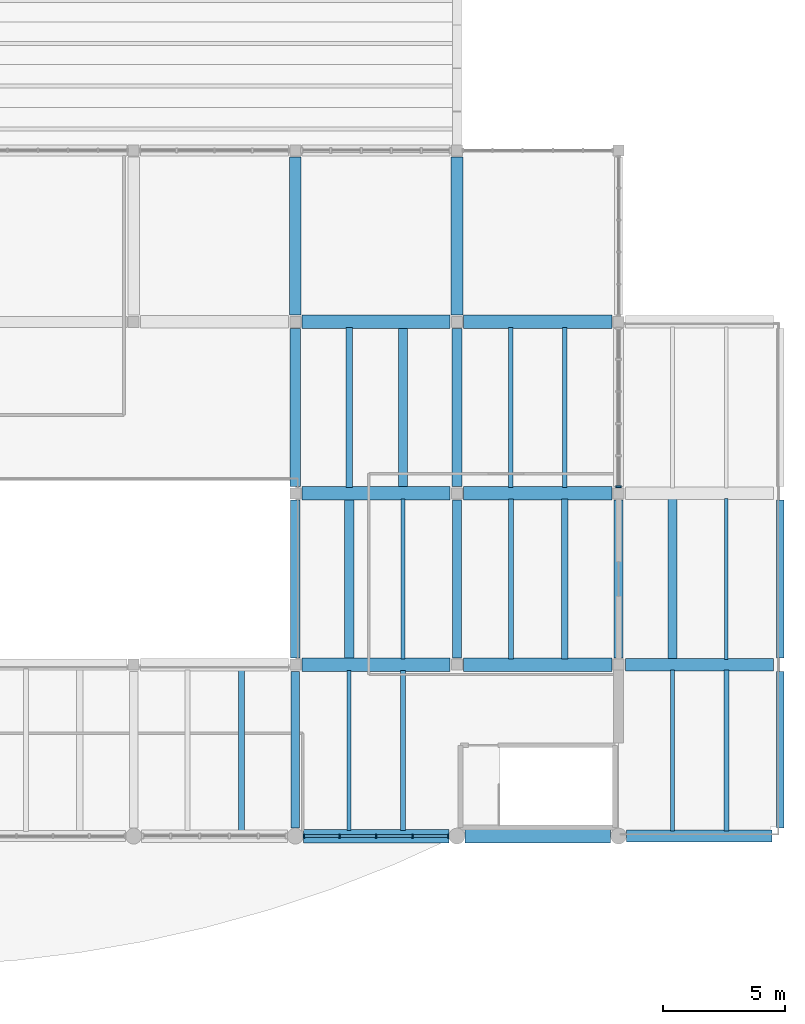
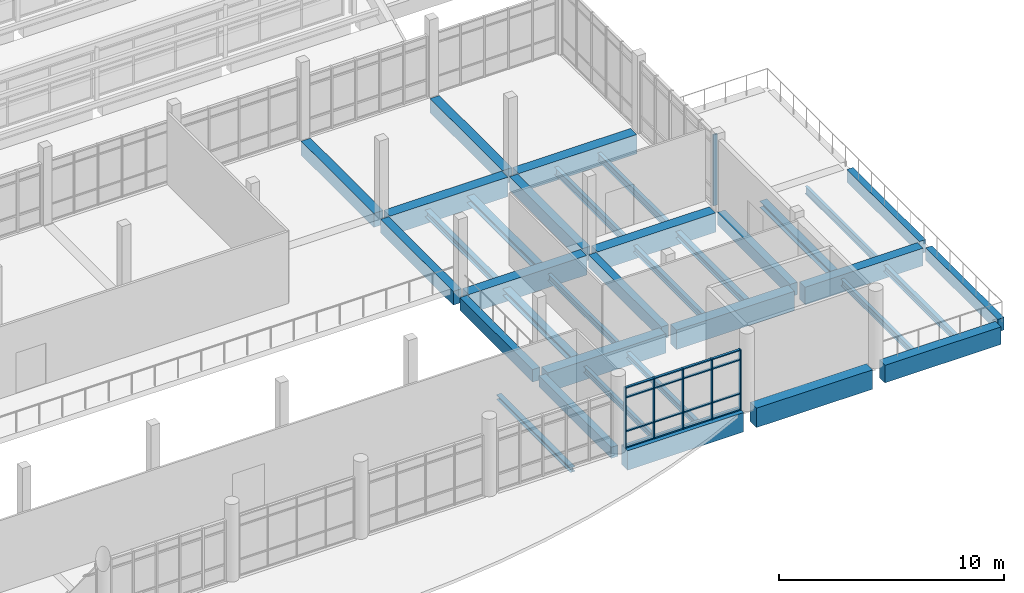
# One storey, part 11 of 92: 35 beams, 22 members, 2 elements without a shape of their own.
"""IFC4 building model written with IfcOpenShell, lengths in metres."""

from ifc_helpers import new_model, si_unit, direction, frame, origin, origin_2d, place, context, subcontext, project, spatial, rectangle, i_section, extrude, material, material_profile, profile_set, type_object, element, aggregate, save


model = new_model("IFC4")

# Units and contexts
model_context = context("Model", 3, precision=1e-05, world=origin(), true_north=direction((0.0, 1.0)))
body_context = subcontext(model_context, "Body", "Model", "MODEL_VIEW")
ifc_project = project(units=[si_unit("LENGTHUNIT", "METRE"), si_unit("AREAUNIT", "SQUARE_METRE"), si_unit("VOLUMEUNIT", "CUBIC_METRE"), si_unit("PLANEANGLEUNIT", "RADIAN"), si_unit("MASSUNIT", "GRAM", prefix="KILO")], contexts=[model_context])

# Site, building, storey
site_placement = place(None, origin())
site = spatial("IfcSite", under=ifc_project, at=site_placement, CompositionType="ELEMENT")
building_placement = place(site_placement, origin())
building = spatial("IfcBuilding", under=site, at=building_placement, Name="Ciguamira Faculty of Natural Sciences", CompositionType="ELEMENT")
storey_placement = place(building_placement, frame((0.0, 0.0, 16.800048828125)))
storey = spatial("IfcBuildingStorey", under=building, at=storey_placement, Name="L04", CompositionType="ELEMENT", Elevation=16.800048828125)

# Curtain wall, members
ifc_material_1 = material(Name="Anodized aluminium curtain wall", Category="aluminium")
curtain_wall_type_1 = type_object("IfcCurtainWallType", Name="CurtainWall_CW-04", PredefinedType="USERDEFINED", material=ifc_material_1)
curtain_wall_1_placement = place(storey_placement, origin())
curtain_wall_1 = element("IfcCurtainWall", 1, at=curtain_wall_1_placement, inside=storey, type_object=curtain_wall_type_1, Name="L04 unitised curtain wall 0112", ObjectType="UNITISED CURTAIN WALL", PredefinedType="USERDEFINED")
ifc_material_2 = material(Name="Anodized aluminium mullion", Category="aluminium")
ifc_material_profile_1 = material_profile(ifc_material_2, rectangle(XDim=0.06005859375, YDim=0.159912109375, at=origin_2d()), Name="ALU-MUL-60X160")
ifc_profile_set_1 = profile_set([ifc_material_profile_1], Name="Anodized aluminium mullion")
member_type_1 = type_object("IfcMemberType", Name="CWMullion_CWM-01", PredefinedType="MULLION", material=ifc_profile_set_1)
member_1_placement = place(storey_placement, frame((103.85498046875, 10.0, 0.0), z_axis=(0.0, 0.0, 1.0), x_axis=(1.0, 0.0, 0.0)))
member_1 = element("IfcMember", 2, at=member_1_placement, type_object=member_type_1, Name="CW-04 mullion 1", PredefinedType="MULLION", context=body_context, shape_type="SweptSolid", body=[
    extrude(rectangle(XDim=0.06005859375, YDim=0.159912109375, at=origin_2d()), origin(), (0.0, 0.0, 1.0), 3.284912109375),
])
member_2_placement = place(storey_placement, frame((105.3125, 10.0, 0.0), z_axis=(0.0, 0.0, 1.0), x_axis=(1.0, 0.0, 0.0)))
member_2 = element("IfcMember", 3, at=member_2_placement, type_object=member_type_1, Name="CW-04 mullion 2", PredefinedType="MULLION", context=body_context, shape_type="SweptSolid", body=[
    extrude(rectangle(XDim=0.06005859375, YDim=0.159912109375, at=origin_2d()), origin(), (0.0, 0.0, 1.0), 3.284912109375),
])
member_3_placement = place(storey_placement, frame((106.800048828125, 10.0, 0.0), z_axis=(0.0, 0.0, 1.0), x_axis=(1.0, 0.0, 0.0)))
member_3 = element("IfcMember", 4, at=member_3_placement, type_object=member_type_1, Name="CW-04 mullion 3", PredefinedType="MULLION", context=body_context, shape_type="SweptSolid", body=[
    extrude(rectangle(XDim=0.06005859375, YDim=0.159912109375, at=origin_2d()), origin(), (0.0, 0.0, 1.0), 3.284912109375),
])
member_4_placement = place(storey_placement, frame((108.28759765625, 10.0, 0.0), z_axis=(0.0, 0.0, 1.0), x_axis=(1.0, 0.0, 0.0)))
member_4 = element("IfcMember", 5, at=member_4_placement, type_object=member_type_1, Name="CW-04 mullion 4", PredefinedType="MULLION", context=body_context, shape_type="SweptSolid", body=[
    extrude(rectangle(XDim=0.06005859375, YDim=0.159912109375, at=origin_2d()), origin(), (0.0, 0.0, 1.0), 3.284912109375),
])
member_5_placement = place(storey_placement, frame((109.7451171875, 10.0, 0.0), z_axis=(0.0, 0.0, 1.0), x_axis=(1.0, 0.0, 0.0)))
member_5 = element("IfcMember", 6, at=member_5_placement, type_object=member_type_1, Name="CW-04 mullion 5", PredefinedType="MULLION", context=body_context, shape_type="SweptSolid", body=[
    extrude(rectangle(XDim=0.06005859375, YDim=0.159912109375, at=origin_2d()), origin(), (0.0, 0.0, 1.0), 3.284912109375),
])

# Curtain wall, member
curtain_wall_type_2 = type_object("IfcCurtainWallType", Name="CurtainWall_CW-12", PredefinedType="USERDEFINED", material=ifc_material_1)
curtain_wall_2_placement = place(storey_placement, origin())
curtain_wall_2 = element("IfcCurtainWall", 7, at=curtain_wall_2_placement, inside=storey, type_object=curtain_wall_type_2, Name="L04 unitised curtain wall 0132", ObjectType="UNITISED CURTAIN WALL", PredefinedType="USERDEFINED")
ifc_material_profile_2 = material_profile(ifc_material_2, rectangle(XDim=0.080078125, YDim=0.219970703125, at=origin_2d()), Name="ALU-MUL-80X220")
ifc_profile_set_2 = profile_set([ifc_material_profile_2], Name="Anodized aluminium mullion")
member_type_2 = type_object("IfcMemberType", Name="CWMullion_CWM-03", PredefinedType="MULLION", material=ifc_profile_set_2)
member_6_placement = place(storey_placement, frame((116.699951171875, 24.264892578125, 0.0), z_axis=(0.0, 0.0, 1.0), x_axis=(0.0, 1.0, 0.0)))
member_6 = element("IfcMember", 8, at=member_6_placement, type_object=member_type_2, Name="CW-12 mullion 1", PredefinedType="MULLION", context=body_context, shape_type="SweptSolid", body=[
    extrude(rectangle(XDim=0.080078125, YDim=0.219970703125, at=origin_2d()), origin(), (0.0, 0.0, 1.0), 3.849853515625),
])
aggregate(curtain_wall_2, [member_6])

# Member
ifc_material_3 = material(Name="Anodized aluminium transom", Category="aluminium")
ifc_material_profile_3 = material_profile(ifc_material_3, rectangle(XDim=0.06005859375, YDim=0.1201171875, at=origin_2d()), Name="ALU-TRN-60X120")
ifc_profile_set_3 = profile_set([ifc_material_profile_3], Name="Anodized aluminium transom")
member_type_3 = type_object("IfcMemberType", Name="CWTransom_CWT-01", PredefinedType="USERDEFINED", material=ifc_profile_set_3)
member_7_placement = place(storey_placement, frame((103.885009765625, 10.0, 0.030029296875), z_axis=(1.0, 0.0, 0.0), x_axis=(0.0, 0.0, 1.0)))
member_7 = element("IfcMember", 9, at=member_7_placement, type_object=member_type_3, Name="CW-04 transom 1.1", ObjectType="TRANSOM", PredefinedType="USERDEFINED", context=body_context, shape_type="SweptSolid", body=[
    extrude(rectangle(XDim=0.06005859375, YDim=0.1201171875, at=origin_2d()), origin(), (0.0, 0.0, 1.0), 1.3974609375),
])

member_8_placement = place(storey_placement, frame((103.885009765625, 10.0, 0.89990234375), z_axis=(1.0, 0.0, 0.0), x_axis=(0.0, 0.0, 1.0)))
member_8 = element("IfcMember", 10, at=member_8_placement, type_object=member_type_3, Name="CW-04 transom 1.2", ObjectType="TRANSOM", PredefinedType="USERDEFINED", context=body_context, shape_type="SweptSolid", body=[
    extrude(rectangle(XDim=0.06005859375, YDim=0.1201171875, at=origin_2d()), origin(), (0.0, 0.0, 1.0), 1.3974609375),
])

member_9_placement = place(storey_placement, frame((103.885009765625, 10.0, 2.73486328125), z_axis=(1.0, 0.0, 0.0), x_axis=(0.0, 0.0, 1.0)))
member_9 = element("IfcMember", 11, at=member_9_placement, type_object=member_type_3, Name="CW-04 transom 1.3", ObjectType="TRANSOM", PredefinedType="USERDEFINED", context=body_context, shape_type="SweptSolid", body=[
    extrude(rectangle(XDim=0.06005859375, YDim=0.1201171875, at=origin_2d()), origin(), (0.0, 0.0, 1.0), 1.3974609375),
])

member_10_placement = place(storey_placement, frame((103.885009765625, 10.0, 3.2548828125), z_axis=(1.0, 0.0, 0.0), x_axis=(0.0, 0.0, 1.0)))
member_10 = element("IfcMember", 12, at=member_10_placement, type_object=member_type_3, Name="CW-04 transom 1.4", ObjectType="TRANSOM", PredefinedType="USERDEFINED", context=body_context, shape_type="SweptSolid", body=[
    extrude(rectangle(XDim=0.06005859375, YDim=0.1201171875, at=origin_2d()), origin(), (0.0, 0.0, 1.0), 1.3974609375),
])

member_11_placement = place(storey_placement, frame((105.342529296875, 10.0, 0.030029296875), z_axis=(1.0, 0.0, 0.0), x_axis=(0.0, 0.0, 1.0)))
member_11 = element("IfcMember", 13, at=member_11_placement, type_object=member_type_3, Name="CW-04 transom 2.1", ObjectType="TRANSOM", PredefinedType="USERDEFINED", context=body_context, shape_type="SweptSolid", body=[
    extrude(rectangle(XDim=0.06005859375, YDim=0.1201171875, at=origin_2d()), origin(), (0.0, 0.0, 1.0), 1.427490234375),
])

member_12_placement = place(storey_placement, frame((105.342529296875, 10.0, 0.89990234375), z_axis=(1.0, 0.0, 0.0), x_axis=(0.0, 0.0, 1.0)))
member_12 = element("IfcMember", 14, at=member_12_placement, type_object=member_type_3, Name="CW-04 transom 2.2", ObjectType="TRANSOM", PredefinedType="USERDEFINED", context=body_context, shape_type="SweptSolid", body=[
    extrude(rectangle(XDim=0.06005859375, YDim=0.1201171875, at=origin_2d()), origin(), (0.0, 0.0, 1.0), 1.427490234375),
])

member_13_placement = place(storey_placement, frame((105.342529296875, 10.0, 2.73486328125), z_axis=(1.0, 0.0, 0.0), x_axis=(0.0, 0.0, 1.0)))
member_13 = element("IfcMember", 15, at=member_13_placement, type_object=member_type_3, Name="CW-04 transom 2.3", ObjectType="TRANSOM", PredefinedType="USERDEFINED", context=body_context, shape_type="SweptSolid", body=[
    extrude(rectangle(XDim=0.06005859375, YDim=0.1201171875, at=origin_2d()), origin(), (0.0, 0.0, 1.0), 1.427490234375),
])

member_14_placement = place(storey_placement, frame((105.342529296875, 10.0, 3.2548828125), z_axis=(1.0, 0.0, 0.0), x_axis=(0.0, 0.0, 1.0)))
member_14 = element("IfcMember", 16, at=member_14_placement, type_object=member_type_3, Name="CW-04 transom 2.4", ObjectType="TRANSOM", PredefinedType="USERDEFINED", context=body_context, shape_type="SweptSolid", body=[
    extrude(rectangle(XDim=0.06005859375, YDim=0.1201171875, at=origin_2d()), origin(), (0.0, 0.0, 1.0), 1.427490234375),
])

member_15_placement = place(storey_placement, frame((106.830078125, 10.0, 0.030029296875), z_axis=(1.0, 0.0, 0.0), x_axis=(0.0, 0.0, 1.0)))
member_15 = element("IfcMember", 17, at=member_15_placement, type_object=member_type_3, Name="CW-04 transom 3.1", ObjectType="TRANSOM", PredefinedType="USERDEFINED", context=body_context, shape_type="SweptSolid", body=[
    extrude(rectangle(XDim=0.06005859375, YDim=0.1201171875, at=origin_2d()), origin(), (0.0, 0.0, 1.0), 1.427490234375),
])

member_16_placement = place(storey_placement, frame((106.830078125, 10.0, 0.89990234375), z_axis=(1.0, 0.0, 0.0), x_axis=(0.0, 0.0, 1.0)))
member_16 = element("IfcMember", 18, at=member_16_placement, type_object=member_type_3, Name="CW-04 transom 3.2", ObjectType="TRANSOM", PredefinedType="USERDEFINED", context=body_context, shape_type="SweptSolid", body=[
    extrude(rectangle(XDim=0.06005859375, YDim=0.1201171875, at=origin_2d()), origin(), (0.0, 0.0, 1.0), 1.427490234375),
])

member_17_placement = place(storey_placement, frame((106.830078125, 10.0, 2.73486328125), z_axis=(1.0, 0.0, 0.0), x_axis=(0.0, 0.0, 1.0)))
member_17 = element("IfcMember", 19, at=member_17_placement, type_object=member_type_3, Name="CW-04 transom 3.3", ObjectType="TRANSOM", PredefinedType="USERDEFINED", context=body_context, shape_type="SweptSolid", body=[
    extrude(rectangle(XDim=0.06005859375, YDim=0.1201171875, at=origin_2d()), origin(), (0.0, 0.0, 1.0), 1.427490234375),
])

member_18_placement = place(storey_placement, frame((106.830078125, 10.0, 3.2548828125), z_axis=(1.0, 0.0, 0.0), x_axis=(0.0, 0.0, 1.0)))
member_18 = element("IfcMember", 20, at=member_18_placement, type_object=member_type_3, Name="CW-04 transom 3.4", ObjectType="TRANSOM", PredefinedType="USERDEFINED", context=body_context, shape_type="SweptSolid", body=[
    extrude(rectangle(XDim=0.06005859375, YDim=0.1201171875, at=origin_2d()), origin(), (0.0, 0.0, 1.0), 1.427490234375),
])

member_19_placement = place(storey_placement, frame((108.3173828125, 10.0, 0.030029296875), z_axis=(1.0, 0.0, 0.0), x_axis=(0.0, 0.0, 1.0)))
member_19 = element("IfcMember", 21, at=member_19_placement, type_object=member_type_3, Name="CW-04 transom 4.1", ObjectType="TRANSOM", PredefinedType="USERDEFINED", context=body_context, shape_type="SweptSolid", body=[
    extrude(rectangle(XDim=0.06005859375, YDim=0.1201171875, at=origin_2d()), origin(), (0.0, 0.0, 1.0), 1.397705078125),
])

member_20_placement = place(storey_placement, frame((108.3173828125, 10.0, 0.89990234375), z_axis=(1.0, 0.0, 0.0), x_axis=(0.0, 0.0, 1.0)))
member_20 = element("IfcMember", 22, at=member_20_placement, type_object=member_type_3, Name="CW-04 transom 4.2", ObjectType="TRANSOM", PredefinedType="USERDEFINED", context=body_context, shape_type="SweptSolid", body=[
    extrude(rectangle(XDim=0.06005859375, YDim=0.1201171875, at=origin_2d()), origin(), (0.0, 0.0, 1.0), 1.397705078125),
])

member_21_placement = place(storey_placement, frame((108.3173828125, 10.0, 2.73486328125), z_axis=(1.0, 0.0, 0.0), x_axis=(0.0, 0.0, 1.0)))
member_21 = element("IfcMember", 23, at=member_21_placement, type_object=member_type_3, Name="CW-04 transom 4.3", ObjectType="TRANSOM", PredefinedType="USERDEFINED", context=body_context, shape_type="SweptSolid", body=[
    extrude(rectangle(XDim=0.06005859375, YDim=0.1201171875, at=origin_2d()), origin(), (0.0, 0.0, 1.0), 1.397705078125),
])

member_22_placement = place(storey_placement, frame((108.3173828125, 10.0, 3.2548828125), z_axis=(1.0, 0.0, 0.0), x_axis=(0.0, 0.0, 1.0)))
member_22 = element("IfcMember", 24, at=member_22_placement, type_object=member_type_3, Name="CW-04 transom 4.4", ObjectType="TRANSOM", PredefinedType="USERDEFINED", context=body_context, shape_type="SweptSolid", body=[
    extrude(rectangle(XDim=0.06005859375, YDim=0.1201171875, at=origin_2d()), origin(), (0.0, 0.0, 1.0), 1.397705078125),
])

aggregate(curtain_wall_1, [member_1, member_2, member_3, member_4, member_5, member_7, member_8, member_9, member_10, member_11, member_12, member_13, member_14, member_15, member_16, member_17, member_18, member_19, member_20, member_21, member_22])

# Beams
ifc_material_4 = material(Name="Concrete C40/50", Category="concrete")
ifc_material_profile_4 = material_profile(ifc_material_4, rectangle(XDim=0.550048828125, YDim=1.050048828125, at=origin_2d()), Name="RC-BM-550X1050")
ifc_profile_set_4 = profile_set([ifc_material_profile_4], Name="Concrete C40/50")
beam_type_1 = type_object("IfcBeamType", Name="RCBeam_BG-01_RC-BM-550X1050", PredefinedType="BEAM", material=ifc_profile_set_4)
for number, where, z_axis, x_axis, name in (
    (25, (103.824951171875, 10.0, -0.525146484375), (1.0, 0.0, 0.0), (0.0, 1.0, 0.0), "L04 RC girder EW-1331"),
    (26, (110.425048828125, 10.0, -0.525146484375), (1.0, 0.0, 0.0), (0.0, 1.0, 0.0), "L04 RC girder EW-1332"),
):
    element("IfcBeam", number, at=place(storey_placement, frame(where, z_axis=z_axis, x_axis=x_axis)), inside=storey, type_object=beam_type_1, Name=name, PredefinedType="BEAM", context=body_context, shape_type="SweptSolid", body=[
        extrude(rectangle(XDim=0.550048828125, YDim=1.050048828125, at=origin_2d()), origin(), (0.0, 0.0, 1.0), 5.949951171875),
    ])
for number, where, z_axis, x_axis, name in (
    (27, (103.77490234375, 17.0, -0.525146484375), (1.0, 0.0, 0.0), (0.0, 1.0, 0.0), "L04 RC girder EW-1342"),
    (28, (110.375, 17.0, -0.525146484375), (1.0, 0.0, 0.0), (0.0, 1.0, 0.0), "L04 RC girder EW-1343"),
    (29, (103.77490234375, 24.0, -0.525146484375), (1.0, 0.0, 0.0), (0.0, 1.0, 0.0), "L04 RC girder EW-1348"),
    (30, (110.375, 24.0, -0.525146484375), (1.0, 0.0, 0.0), (0.0, 1.0, 0.0), "L04 RC girder EW-1349"),
    (31, (103.77490234375, 31.0, -0.525146484375), (1.0, 0.0, 0.0), (0.0, 1.0, 0.0), "L04 RC girder EW-1359"),
    (32, (110.375, 31.0, -0.525146484375), (1.0, 0.0, 0.0), (0.0, 1.0, 0.0), "L04 RC girder EW-1360"),
):
    element("IfcBeam", number, at=place(storey_placement, frame(where, z_axis=z_axis, x_axis=x_axis)), inside=storey, type_object=beam_type_1, Name=name, PredefinedType="BEAM", context=body_context, shape_type="SweptSolid", body=[
        extrude(rectangle(XDim=0.550048828125, YDim=1.050048828125, at=origin_2d()), origin(), (0.0, 0.0, 1.0), 6.050048828125),
    ])
ifc_material_profile_5 = material_profile(ifc_material_4, rectangle(XDim=0.5, YDim=0.949951171875, at=origin_2d()), Name="RC-BM-500X950")
ifc_profile_set_5 = profile_set([ifc_material_profile_5], Name="Concrete C40/50")
beam_type_2 = type_object("IfcBeamType", Name="RCBeam_BG-02_RC-BM-500X950", PredefinedType="BEAM", material=ifc_profile_set_5)
beam_1_placement = place(storey_placement, frame((117.02490234375, 10.0, -0.47509765625), z_axis=(1.0, 0.0, 0.0), x_axis=(0.0, 1.0, 0.0)))
element("IfcBeam", 33, at=beam_1_placement, inside=storey, type_object=beam_type_2, Name="L04 RC girder EW-1333", PredefinedType="BEAM", context=body_context, shape_type="SweptSolid", body=[
    extrude(rectangle(XDim=0.5, YDim=0.949951171875, at=origin_2d()), origin(), (0.0, 0.0, 1.0), 5.9501953125),
])
beam_2_placement = place(storey_placement, frame((116.97509765625, 17.0, -0.47509765625), z_axis=(1.0, 0.0, 0.0), x_axis=(0.0, 1.0, 0.0)))
element("IfcBeam", 34, at=beam_2_placement, inside=storey, type_object=beam_type_2, Name="L04 RC girder EW-1344", PredefinedType="BEAM", context=body_context, shape_type="SweptSolid", body=[
    extrude(rectangle(XDim=0.5, YDim=0.949951171875, at=origin_2d()), origin(), (0.0, 0.0, 1.0), 6.0498046875),
])
ifc_material_profile_6 = material_profile(ifc_material_4, rectangle(XDim=0.419921875, YDim=0.739990234375, at=origin_2d()), Name="RC-BM-420X740")
ifc_profile_set_6 = profile_set([ifc_material_profile_6], Name="Concrete C40/50")
beam_type_3 = type_object("IfcBeamType", Name="RCBeam_BG-07_RC-BM-420X740", PredefinedType="BEAM", material=ifc_profile_set_6)
for number, where, z_axis, x_axis, name in (
    (35, (103.5, 24.27490234375, -0.3701171875), (0.0, 1.0, 0.0), (-1.0, 0.0, 0.0), "L04 girder NS-1425"),
    (36, (110.10009765625, 24.27490234375, -0.3701171875), (0.0, 1.0, 0.0), (-1.0, 0.0, 0.0), "L04 girder NS-1430"),
):
    element("IfcBeam", number, at=place(storey_placement, frame(where, z_axis=z_axis, x_axis=x_axis)), inside=storey, type_object=beam_type_3, Name=name, PredefinedType="BEAM", context=body_context, shape_type="SweptSolid", body=[
        extrude(rectangle(XDim=0.419921875, YDim=0.739990234375, at=origin_2d()), origin(), (0.0, 0.0, 1.0), 6.4501953125),
    ])
ifc_material_profile_7 = material_profile(ifc_material_4, rectangle(XDim=0.3798828125, YDim=0.679931640625, at=origin_2d()), Name="RC-BM-380X680")
ifc_profile_set_7 = profile_set([ifc_material_profile_7], Name="Concrete C40/50")
beam_type_4 = type_object("IfcBeamType", Name="RCBeam_BG-09_RC-BM-380X680", PredefinedType="BEAM", material=ifc_profile_set_7)
for number, where, z_axis, x_axis, name in (
    (37, (103.5, 17.27490234375, -0.340087890625), (0.0, 1.0, 0.0), (-1.0, 0.0, 0.0), "L04 girder NS-1424"),
    (38, (110.10009765625, 17.27490234375, -0.340087890625), (0.0, 1.0, 0.0), (-1.0, 0.0, 0.0), "L04 girder NS-1429"),
    (39, (116.699951171875, 17.27490234375, -0.340087890625), (0.0, 1.0, 0.0), (-1.0, 0.0, 0.0), "L04 girder NS-1435"),
):
    element("IfcBeam", number, at=place(storey_placement, frame(where, z_axis=z_axis, x_axis=x_axis)), inside=storey, type_object=beam_type_4, Name=name, PredefinedType="BEAM", context=body_context, shape_type="SweptSolid", body=[
        extrude(rectangle(XDim=0.3798828125, YDim=0.679931640625, at=origin_2d()), origin(), (0.0, 0.0, 1.0), 6.4501953125),
    ])
ifc_material_profile_8 = material_profile(ifc_material_4, rectangle(XDim=0.35009765625, YDim=0.60009765625, at=origin_2d()), Name="RC-BM-350X600")
ifc_profile_set_8 = profile_set([ifc_material_profile_8], Name="Concrete C40/50")
beam_type_5 = type_object("IfcBeamType", Name="RCBeam_BG-11_RC-BM-350X600", PredefinedType="BEAM", material=ifc_profile_set_8)
beam_3_placement = place(storey_placement, frame((103.5, 10.324951171875, -0.300048828125), z_axis=(0.0, 1.0, 0.0), x_axis=(-1.0, 0.0, 0.0)))
element("IfcBeam", 40, at=beam_3_placement, inside=storey, type_object=beam_type_5, Name="L04 girder NS-1423", PredefinedType="BEAM", context=body_context, shape_type="SweptSolid", body=[
    extrude(rectangle(XDim=0.35009765625, YDim=0.60009765625, at=origin_2d()), origin(), (0.0, 0.0, 1.0), 6.400146484375),
])
ifc_material_5 = material(Name="Precast concrete C40/50", Category="concrete")
ifc_material_profile_9 = material_profile(ifc_material_5, rectangle(XDim=0.320068359375, YDim=0.679931640625, at=origin_2d()), Name="RC-SP-320X680")
ifc_profile_set_9 = profile_set([ifc_material_profile_9], Name="Precast concrete C40/50")
beam_type_6 = type_object("IfcBeamType", Name="RCBeam_SP-02_RC-SP-320X680", PredefinedType="SPANDREL", material=ifc_profile_set_9)
beam_4_placement = place(storey_placement, frame((123.300048828125, 10.324951171875, -0.340087890625), z_axis=(0.0, 1.0, 0.0), x_axis=(-1.0, 0.0, 0.0)))
element("IfcBeam", 41, at=beam_4_placement, inside=storey, type_object=beam_type_6, Name="L04 girder NS-1438", PredefinedType="SPANDREL", context=body_context, shape_type="SweptSolid", body=[
    extrude(rectangle(XDim=0.320068359375, YDim=0.679931640625, at=origin_2d()), origin(), (0.0, 0.0, 1.0), 6.400146484375),
])
beam_5_placement = place(storey_placement, frame((123.300048828125, 17.27490234375, -0.340087890625), z_axis=(0.0, 1.0, 0.0), x_axis=(-1.0, 0.0, 0.0)))
element("IfcBeam", 42, at=beam_5_placement, inside=storey, type_object=beam_type_6, Name="L04 girder NS-1439", PredefinedType="SPANDREL", context=body_context, shape_type="SweptSolid", body=[
    extrude(rectangle(XDim=0.320068359375, YDim=0.679931640625, at=origin_2d()), origin(), (0.0, 0.0, 1.0), 6.4501953125),
])
ifc_material_profile_10 = material_profile(ifc_material_4, rectangle(XDim=0.47998046875, YDim=0.760009765625, at=origin_2d()), Name="RC-TB-480X760")
ifc_profile_set_10 = profile_set([ifc_material_profile_10], Name="Concrete C40/50")
beam_type_7 = type_object("IfcBeamType", Name="RCBeam_TB-01_RC-TB-480X760", PredefinedType="T_BEAM", material=ifc_profile_set_10)
for number, where, z_axis, x_axis, name in (
    (43, (103.5, 31.27490234375, -0.380126953125), (0.0, 1.0, 0.0), (-1.0, 0.0, 0.0), "L04 girder NS-1426"),
    (44, (110.10009765625, 31.27490234375, -0.380126953125), (0.0, 1.0, 0.0), (-1.0, 0.0, 0.0), "L04 girder NS-1431"),
):
    element("IfcBeam", number, at=place(storey_placement, frame(where, z_axis=z_axis, x_axis=x_axis)), inside=storey, type_object=beam_type_7, Name=name, PredefinedType="T_BEAM", context=body_context, shape_type="SweptSolid", body=[
        extrude(rectangle(XDim=0.47998046875, YDim=0.760009765625, at=origin_2d()), origin(), (0.0, 0.0, 1.0), 6.4501953125),
    ])
ifc_material_6 = material(Name="Steel ASTM A992 Grade 50", Category="steel")
ifc_material_profile_11 = material_profile(ifc_material_6, i_section(OverallWidth=0.25390625, OverallDepth=0.25390625, WebThickness=0.008544921875, FlangeThickness=0.01416015625, at=origin_2d()), Name="W10X49")
ifc_profile_set_11 = profile_set([ifc_material_profile_11], Name="Steel ASTM A992 Grade 50")
beam_type_8 = type_object("IfcBeamType", Name="SteelJoist_SJ-03_W10X49", PredefinedType="JOIST", material=ifc_profile_set_11)
beam_6_placement = place(storey_placement, frame((101.300048828125, 10.219970703125, -0.427001953125), z_axis=(0.0, 1.0, 0.0), x_axis=(-1.0, 0.0, 0.0)))
element("IfcBeam", 45, at=beam_6_placement, inside=storey, type_object=beam_type_8, Name="L04 composite steel joist 01317", PredefinedType="JOIST", context=body_context, shape_type="SweptSolid", body=[
    extrude(i_section(OverallWidth=0.25390625, OverallDepth=0.25390625, WebThickness=0.008544921875, FlangeThickness=0.01416015625, at=origin_2d()), origin(), (0.0, 0.0, 1.0), 6.56005859375),
])
ifc_material_profile_12 = material_profile(ifc_material_6, i_section(OverallWidth=0.16650390625, OverallDepth=0.3173828125, WebThickness=0.007568359375, FlangeThickness=0.01318359375, at=origin_2d()), Name="W12X35")
ifc_profile_set_12 = profile_set([ifc_material_profile_12], Name="Steel ASTM A992 Grade 50")
beam_type_9 = type_object("IfcBeamType", Name="SteelJoist_SJ-05_W12X35", PredefinedType="JOIST", material=ifc_profile_set_12)
beam_7_placement = place(storey_placement, frame((105.699951171875, 10.235107421875, -0.458740234375), z_axis=(0.0, 1.0, 0.0), x_axis=(-1.0, 0.0, 0.0)))
element("IfcBeam", 46, at=beam_7_placement, inside=storey, type_object=beam_type_9, Name="L04 composite steel joist 01322", PredefinedType="JOIST", context=body_context, shape_type="SweptSolid", body=[
    extrude(i_section(OverallWidth=0.16650390625, OverallDepth=0.3173828125, WebThickness=0.007568359375, FlangeThickness=0.01318359375, at=origin_2d()), origin(), (0.0, 0.0, 1.0), 6.52978515625),
])
ifc_material_profile_13 = material_profile(ifc_material_6, i_section(OverallWidth=0.20458984375, OverallDepth=0.307373046875, WebThickness=0.008544921875, FlangeThickness=0.0146484375, at=origin_2d()), Name="W12X45")
ifc_profile_set_13 = profile_set([ifc_material_profile_13], Name="Steel ASTM A992 Grade 50")
beam_type_10 = type_object("IfcBeamType", Name="SteelJoist_SJ-06_W12X45", PredefinedType="JOIST", material=ifc_profile_set_13)
beam_8_placement = place(storey_placement, frame((107.89990234375, 10.235107421875, -0.453857421875), z_axis=(0.0, 1.0, 0.0), x_axis=(-1.0, 0.0, 0.0)))
element("IfcBeam", 47, at=beam_8_placement, inside=storey, type_object=beam_type_10, Name="L04 composite steel joist 01323", PredefinedType="JOIST", context=body_context, shape_type="SweptSolid", body=[
    extrude(i_section(OverallWidth=0.20458984375, OverallDepth=0.307373046875, WebThickness=0.008544921875, FlangeThickness=0.0146484375, at=origin_2d()), origin(), (0.0, 0.0, 1.0), 6.52978515625),
])
ifc_material_profile_14 = material_profile(ifc_material_6, i_section(OverallWidth=0.373291015625, OverallDepth=0.373291015625, WebThickness=0.016357421875, FlangeThickness=0.026123046875, at=origin_2d()), Name="W14X132")
ifc_profile_set_14 = profile_set([ifc_material_profile_14], Name="Steel ASTM A992 Grade 50")
beam_type_11 = type_object("IfcBeamType", Name="SteelJoist_SJ-10_W14X132", PredefinedType="JOIST", material=ifc_profile_set_14)
beam_9_placement = place(storey_placement, frame((105.699951171875, 17.235107421875, -0.48681640625), z_axis=(0.0, 1.0, 0.0), x_axis=(-1.0, 0.0, 0.0)))
element("IfcBeam", 48, at=beam_9_placement, inside=storey, type_object=beam_type_11, Name="L04 composite steel joist 01324", PredefinedType="JOIST", context=body_context, shape_type="SweptSolid", body=[
    extrude(i_section(OverallWidth=0.373291015625, OverallDepth=0.373291015625, WebThickness=0.016357421875, FlangeThickness=0.026123046875, at=origin_2d()), origin(), (0.0, 0.0, 1.0), 6.52978515625),
])
ifc_material_profile_15 = material_profile(ifc_material_6, i_section(OverallWidth=0.1708984375, OverallDepth=0.3505859375, WebThickness=0.0068359375, FlangeThickness=0.009765625, at=origin_2d()), Name="W14X30")
ifc_profile_set_15 = profile_set([ifc_material_profile_15], Name="Steel ASTM A992 Grade 50")
beam_type_12 = type_object("IfcBeamType", Name="SteelJoist_SJ-11_W14X30", PredefinedType="JOIST", material=ifc_profile_set_15)
beam_10_placement = place(storey_placement, frame((107.89990234375, 17.235107421875, -0.475341796875), z_axis=(0.0, 1.0, 0.0), x_axis=(-1.0, 0.0, 0.0)))
element("IfcBeam", 49, at=beam_10_placement, inside=storey, type_object=beam_type_12, Name="L04 composite steel joist 01325", PredefinedType="JOIST", context=body_context, shape_type="SweptSolid", body=[
    extrude(i_section(OverallWidth=0.1708984375, OverallDepth=0.3505859375, WebThickness=0.0068359375, FlangeThickness=0.009765625, at=origin_2d()), origin(), (0.0, 0.0, 1.0), 6.52978515625),
])
beam_11_placement = place(storey_placement, frame((118.89990234375, 10.2099609375, -0.375244140625), z_axis=(0.0, 1.0, 0.0), x_axis=(-1.0, 0.0, 0.0)))
element("IfcBeam", 50, at=beam_11_placement, inside=storey, type_object=beam_type_12, Name="L04 composite steel joist 01336", PredefinedType="JOIST", context=body_context, shape_type="SweptSolid", body=[
    extrude(i_section(OverallWidth=0.1708984375, OverallDepth=0.3505859375, WebThickness=0.0068359375, FlangeThickness=0.009765625, at=origin_2d()), origin(), (0.0, 0.0, 1.0), 6.580078125),
])
ifc_material_profile_16 = material_profile(ifc_material_6, i_section(OverallWidth=0.203125, OverallDepth=0.347900390625, WebThickness=0.0078125, FlangeThickness=0.013427734375, at=origin_2d()), Name="W14X43")
ifc_profile_set_16 = profile_set([ifc_material_profile_16], Name="Steel ASTM A992 Grade 50")
beam_type_13 = type_object("IfcBeamType", Name="SteelJoist_SJ-12_W14X43", PredefinedType="JOIST", material=ifc_profile_set_16)
beam_12_placement = place(storey_placement, frame((121.10009765625, 10.2099609375, -0.3740234375), z_axis=(0.0, 1.0, 0.0), x_axis=(-1.0, 0.0, 0.0)))
element("IfcBeam", 51, at=beam_12_placement, inside=storey, type_object=beam_type_13, Name="L04 composite steel joist 01337", PredefinedType="JOIST", context=body_context, shape_type="SweptSolid", body=[
    extrude(i_section(OverallWidth=0.203125, OverallDepth=0.347900390625, WebThickness=0.0078125, FlangeThickness=0.013427734375, at=origin_2d()), origin(), (0.0, 0.0, 1.0), 6.580078125),
])
ifc_material_profile_17 = material_profile(ifc_material_6, i_section(OverallWidth=0.204833984375, OverallDepth=0.35302734375, WebThickness=0.00927734375, FlangeThickness=0.016845703125, at=origin_2d()), Name="W14X53")
ifc_profile_set_17 = profile_set([ifc_material_profile_17], Name="Steel ASTM A992 Grade 50")
beam_type_14 = type_object("IfcBeamType", Name="SteelJoist_SJ-13_W14X53", PredefinedType="JOIST", material=ifc_profile_set_17)
beam_13_placement = place(storey_placement, frame((112.300048828125, 17.235107421875, -0.4765625), z_axis=(0.0, 1.0, 0.0), x_axis=(-1.0, 0.0, 0.0)))
element("IfcBeam", 52, at=beam_13_placement, inside=storey, type_object=beam_type_14, Name="L04 composite steel joist 01332", PredefinedType="JOIST", context=body_context, shape_type="SweptSolid", body=[
    extrude(i_section(OverallWidth=0.204833984375, OverallDepth=0.35302734375, WebThickness=0.00927734375, FlangeThickness=0.016845703125, at=origin_2d()), origin(), (0.0, 0.0, 1.0), 6.52978515625),
])
ifc_material_profile_18 = material_profile(ifc_material_6, i_section(OverallWidth=0.25390625, OverallDepth=0.355712890625, WebThickness=0.010498046875, FlangeThickness=0.018310546875, at=origin_2d()), Name="W14X68")
ifc_profile_set_18 = profile_set([ifc_material_profile_18], Name="Steel ASTM A992 Grade 50")
beam_type_15 = type_object("IfcBeamType", Name="SteelJoist_SJ-14_W14X68", PredefinedType="JOIST", material=ifc_profile_set_18)
beam_14_placement = place(storey_placement, frame((114.5, 17.235107421875, -0.477783203125), z_axis=(0.0, 1.0, 0.0), x_axis=(-1.0, 0.0, 0.0)))
element("IfcBeam", 53, at=beam_14_placement, inside=storey, type_object=beam_type_15, Name="L04 composite steel joist 01333", PredefinedType="JOIST", context=body_context, shape_type="SweptSolid", body=[
    extrude(i_section(OverallWidth=0.25390625, OverallDepth=0.355712890625, WebThickness=0.010498046875, FlangeThickness=0.018310546875, at=origin_2d()), origin(), (0.0, 0.0, 1.0), 6.52978515625),
])
ifc_material_profile_19 = material_profile(ifc_material_6, i_section(OverallWidth=0.256591796875, OverallDepth=0.36328125, WebThickness=0.012939453125, FlangeThickness=0.021728515625, at=origin_2d()), Name="W14X82")
ifc_profile_set_19 = profile_set([ifc_material_profile_19], Name="Steel ASTM A992 Grade 50")
beam_type_16 = type_object("IfcBeamType", Name="SteelJoist_SJ-15_W14X82", PredefinedType="JOIST", material=ifc_profile_set_19)
beam_15_placement = place(storey_placement, frame((105.699951171875, 24.235107421875, -0.481689453125), z_axis=(0.0, 1.0, 0.0), x_axis=(-1.0, 0.0, 0.0)))
element("IfcBeam", 54, at=beam_15_placement, inside=storey, type_object=beam_type_16, Name="L04 composite steel joist 01326", PredefinedType="JOIST", context=body_context, shape_type="SweptSolid", body=[
    extrude(i_section(OverallWidth=0.256591796875, OverallDepth=0.36328125, WebThickness=0.012939453125, FlangeThickness=0.021728515625, at=origin_2d()), origin(), (0.0, 0.0, 1.0), 6.52978515625),
])
ifc_material_profile_20 = material_profile(ifc_material_6, i_section(OverallWidth=0.368408203125, OverallDepth=0.355712890625, WebThickness=0.01123046875, FlangeThickness=0.01806640625, at=origin_2d()), Name="W14X90")
ifc_profile_set_20 = profile_set([ifc_material_profile_20], Name="Steel ASTM A992 Grade 50")
beam_type_17 = type_object("IfcBeamType", Name="SteelJoist_SJ-16_W14X90", PredefinedType="JOIST", material=ifc_profile_set_20)
beam_16_placement = place(storey_placement, frame((107.89990234375, 24.235107421875, -0.477783203125), z_axis=(0.0, 1.0, 0.0), x_axis=(-1.0, 0.0, 0.0)))
element("IfcBeam", 55, at=beam_16_placement, inside=storey, type_object=beam_type_17, Name="L04 composite steel joist 01327", PredefinedType="JOIST", context=body_context, shape_type="SweptSolid", body=[
    extrude(i_section(OverallWidth=0.368408203125, OverallDepth=0.355712890625, WebThickness=0.01123046875, FlangeThickness=0.01806640625, at=origin_2d()), origin(), (0.0, 0.0, 1.0), 6.52978515625),
])
beam_17_placement = place(storey_placement, frame((118.89990234375, 17.2099609375, -0.3779296875), z_axis=(0.0, 1.0, 0.0), x_axis=(-1.0, 0.0, 0.0)))
element("IfcBeam", 56, at=beam_17_placement, inside=storey, type_object=beam_type_17, Name="L04 composite steel joist 01338", PredefinedType="JOIST", context=body_context, shape_type="SweptSolid", body=[
    extrude(i_section(OverallWidth=0.368408203125, OverallDepth=0.355712890625, WebThickness=0.01123046875, FlangeThickness=0.01806640625, at=origin_2d()), origin(), (0.0, 0.0, 1.0), 6.580078125),
])
ifc_material_profile_21 = material_profile(ifc_material_6, i_section(OverallWidth=0.140380859375, OverallDepth=0.40380859375, WebThickness=0.007080078125, FlangeThickness=0.01123046875, at=origin_2d()), Name="W16X31")
ifc_profile_set_21 = profile_set([ifc_material_profile_21], Name="Steel ASTM A992 Grade 50")
beam_type_18 = type_object("IfcBeamType", Name="SteelJoist_SJ-17_W16X31", PredefinedType="JOIST", material=ifc_profile_set_21)
beam_18_placement = place(storey_placement, frame((121.10009765625, 17.2099609375, -0.40185546875), z_axis=(0.0, 1.0, 0.0), x_axis=(-1.0, 0.0, 0.0)))
element("IfcBeam", 57, at=beam_18_placement, inside=storey, type_object=beam_type_18, Name="L04 composite steel joist 01339", PredefinedType="JOIST", context=body_context, shape_type="SweptSolid", body=[
    extrude(i_section(OverallWidth=0.140380859375, OverallDepth=0.40380859375, WebThickness=0.007080078125, FlangeThickness=0.01123046875, at=origin_2d()), origin(), (0.0, 0.0, 1.0), 6.580078125),
])
ifc_material_profile_22 = material_profile(ifc_material_6, i_section(OverallWidth=0.177490234375, OverallDepth=0.40380859375, WebThickness=0.007568359375, FlangeThickness=0.010986328125, at=origin_2d()), Name="W16X36")
ifc_profile_set_22 = profile_set([ifc_material_profile_22], Name="Steel ASTM A992 Grade 50")
beam_type_19 = type_object("IfcBeamType", Name="SteelJoist_SJ-18_W16X36", PredefinedType="JOIST", material=ifc_profile_set_22)
beam_19_placement = place(storey_placement, frame((112.300048828125, 24.235107421875, -0.501953125), z_axis=(0.0, 1.0, 0.0), x_axis=(-1.0, 0.0, 0.0)))
element("IfcBeam", 58, at=beam_19_placement, inside=storey, type_object=beam_type_19, Name="L04 composite steel joist 01334", PredefinedType="JOIST", context=body_context, shape_type="SweptSolid", body=[
    extrude(i_section(OverallWidth=0.177490234375, OverallDepth=0.40380859375, WebThickness=0.007568359375, FlangeThickness=0.010986328125, at=origin_2d()), origin(), (0.0, 0.0, 1.0), 6.52978515625),
])
ifc_material_profile_23 = material_profile(ifc_material_6, i_section(OverallWidth=0.1787109375, OverallDepth=0.408935546875, WebThickness=0.0087890625, FlangeThickness=0.014404296875, at=origin_2d()), Name="W16X45")
ifc_profile_set_23 = profile_set([ifc_material_profile_23], Name="Steel ASTM A992 Grade 50")
beam_type_20 = type_object("IfcBeamType", Name="SteelJoist_SJ-19_W16X45", PredefinedType="JOIST", material=ifc_profile_set_23)
beam_20_placement = place(storey_placement, frame((114.5, 24.235107421875, -0.504638671875), z_axis=(0.0, 1.0, 0.0), x_axis=(-1.0, 0.0, 0.0)))
element("IfcBeam", 59, at=beam_20_placement, inside=storey, type_object=beam_type_20, Name="L04 composite steel joist 01335", PredefinedType="JOIST", context=body_context, shape_type="SweptSolid", body=[
    extrude(i_section(OverallWidth=0.1787109375, OverallDepth=0.408935546875, WebThickness=0.0087890625, FlangeThickness=0.014404296875, at=origin_2d()), origin(), (0.0, 0.0, 1.0), 6.52978515625),
])

save(model, "model.ifc")
